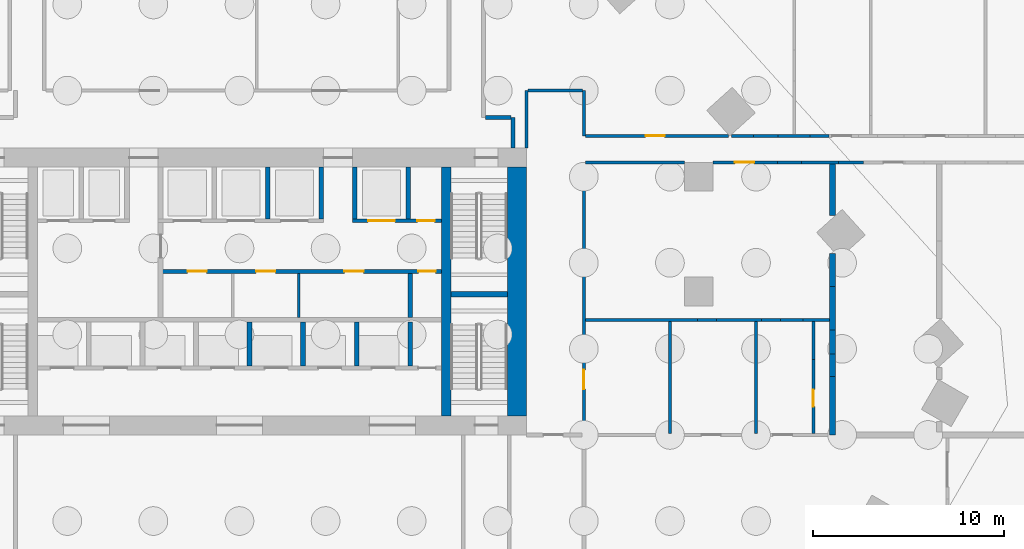
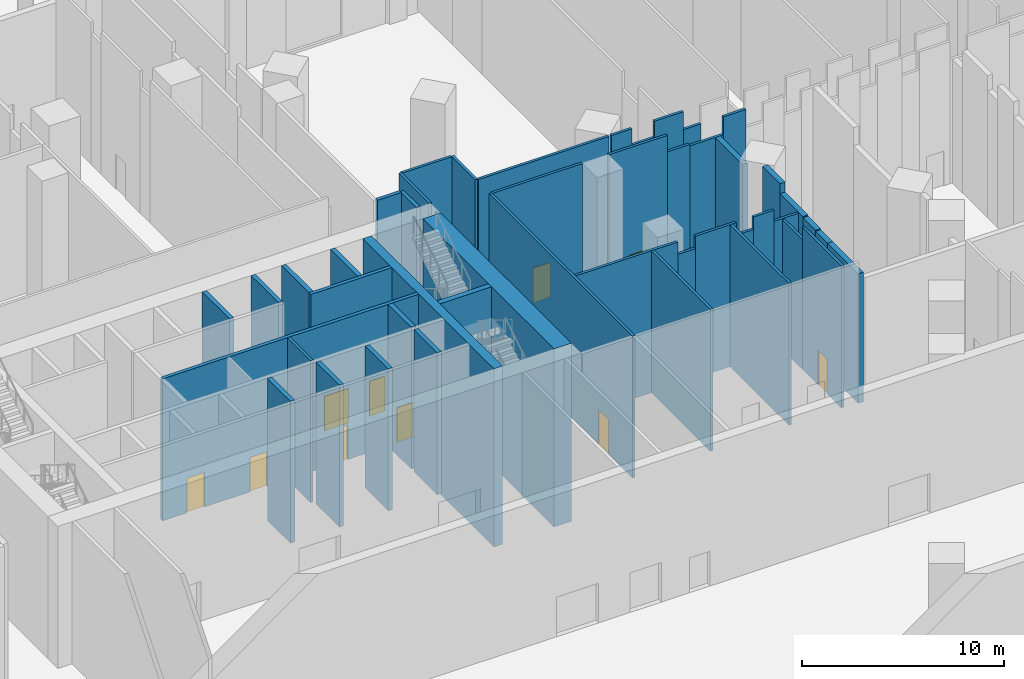
# One storey, part 12 of 32: 47 walls, 10 doors, 10 openings.
"""IFC4 building model written with IfcOpenShell, lengths in metres."""

from ifc_helpers import new_model, si_unit, direction, frame, frame_2d, origin, place, context, subcontext, project, spatial, rectangle, extrude, material, layer, layer_set, type_object, element, fill, save


model = new_model("IFC4")

# Units and contexts
model_context = context("Model", 3, precision=1e-05, world=origin(), true_north=direction((0.0, 1.0)))
body_context = subcontext(model_context, "Body", "Model", "MODEL_VIEW")
ifc_project = project(units=[si_unit("LENGTHUNIT", "METRE"), si_unit("AREAUNIT", "SQUARE_METRE"), si_unit("VOLUMEUNIT", "CUBIC_METRE"), si_unit("PLANEANGLEUNIT", "RADIAN"), si_unit("MASSUNIT", "GRAM", prefix="KILO")], contexts=[model_context])

# Site, building, storey
site_placement = place(None, origin())
site = spatial("IfcSite", under=ifc_project, at=site_placement, CompositionType="ELEMENT")
building_placement = place(site_placement, origin())
building = spatial("IfcBuilding", under=site, at=building_placement, Name="Isthmus Gate Tower", CompositionType="ELEMENT")
storey_placement = place(building_placement, origin())
storey = spatial("IfcBuildingStorey", under=building, at=storey_placement, Name="L00", CompositionType="ELEMENT", Elevation=0.0)

# Walls
ifc_material_1 = material(Name="Double-leaf gypsum board with mineral wool, resilient mounted")
ifc_layer_1 = layer(ifc_material_1, 0.300048828125)
ifc_layer_set_1 = layer_set([ifc_layer_1], Name="Acoustic studio wall 300 double leaf")
wall_type_1 = type_object("IfcWallType", Name="Acoustic studio wall 300 double leaf", PredefinedType="PARTITIONING", material=ifc_layer_set_1)
wall_1_placement = place(storey_placement, frame((31.0, 0.0, 0.0), z_axis=(0.0, 0.0, 1.0), x_axis=(0.0, 1.0, 0.0)))
element("IfcWall", 1, at=wall_1_placement, inside=storey, type_object=wall_type_1, Name="Acoustic studio wall", PredefinedType="PARTITIONING", context=body_context, shape_type="SweptSolid", body=[
    extrude(rectangle(XDim=3.052490234375, YDim=0.300048828125, at=frame_2d((1.5263671875, 0.0))), origin(), (0.0, 0.0, 1.0), 7.8505859375),
])
wall_2_placement = place(storey_placement, frame((31.0, 3.052490234375, 0.0), z_axis=(0.0, 0.0, 1.0), x_axis=(0.0, 1.0, 0.0)))
element("IfcWall", 2, at=wall_2_placement, inside=storey, type_object=wall_type_1, Name="Acoustic studio wall", PredefinedType="PARTITIONING", context=body_context, shape_type="SweptSolid", body=[
    extrude(rectangle(XDim=1.18701171875, YDim=0.300048828125, at=frame_2d((0.593505859375, 0.0))), origin(), (0.0, 0.0, 1.0), 7.8505859375),
])
wall_3_placement = place(storey_placement, frame((31.0, 4.239501953125, 0.0), z_axis=(0.0, 0.0, 1.0), x_axis=(0.0, 1.0, 0.0)))
element("IfcWall", 3, at=wall_3_placement, inside=storey, type_object=wall_type_1, Name="Acoustic studio wall", PredefinedType="PARTITIONING", context=body_context, shape_type="SweptSolid", body=[
    extrude(rectangle(XDim=1.245361328125, YDim=0.300048828125, at=frame_2d((0.62255859375, 0.0))), origin(), (0.0, 0.0, 1.0), 7.920654296875),
])
wall_4_placement = place(storey_placement, frame((31.0, 5.48486328125, 0.0), z_axis=(0.0, 0.0, 1.0), x_axis=(0.0, 1.0, 0.0)))
element("IfcWall", 4, at=wall_4_placement, inside=storey, type_object=wall_type_1, Name="Acoustic studio wall", PredefinedType="PARTITIONING", context=body_context, shape_type="SweptSolid", body=[
    extrude(rectangle(XDim=2.279541015625, YDim=0.300048828125, at=frame_2d((1.1396484375, 0.0))), origin(), (0.0, 0.0, 1.0), 7.99365234375),
])
wall_5_placement = place(storey_placement, frame((31.0, 7.764404296875, 0.0), z_axis=(0.0, 0.0, 1.0), x_axis=(0.0, 1.0, 0.0)))
element("IfcWall", 5, at=wall_5_placement, inside=storey, type_object=wall_type_1, Name="Acoustic studio wall", PredefinedType="PARTITIONING", context=body_context, shape_type="SweptSolid", body=[
    extrude(rectangle(XDim=1.728271484375, YDim=0.300048828125, at=frame_2d((0.8642578125, 0.0))), origin(), (0.0, 0.0, 1.0), 8.60009765625),
])
wall_6_placement = place(storey_placement, frame((31.0, 11.468505859375, 0.0), z_axis=(0.0, 0.0, 1.0), x_axis=(0.0, 1.0, 0.0)))
element("IfcWall", 6, at=wall_6_placement, inside=storey, type_object=wall_type_1, Name="Acoustic studio wall", PredefinedType="PARTITIONING", context=body_context, shape_type="SweptSolid", body=[
    extrude(rectangle(XDim=2.70654296875, YDim=0.300048828125, at=frame_2d((1.353271484375, 0.0))), origin(), (0.0, 0.0, 1.0), 7.510986328125),
])
ifc_material_2 = material(Name="Concrete f'c 30 MPa", Category="concrete")
ifc_layer_2 = layer(ifc_material_2, 0.199951171875)
ifc_layer_set_2 = layer_set([ifc_layer_2], Name="Fire-rated block wall 200")
wall_type_2 = type_object("IfcWallType", Name="Fire-rated block wall 200", PredefinedType="PARTITIONING", material=ifc_layer_set_2)
wall_7_placement = place(storey_placement, frame((12.85009765625, 16.60009765625, 0.0), z_axis=(0.0, 0.0, 1.0), x_axis=(1.0, 0.0, 0.0)))
element("IfcWall", 7, at=wall_7_placement, inside=storey, type_object=wall_type_2, Name="Fire-rated wall", PredefinedType="PARTITIONING", context=body_context, shape_type="SweptSolid", body=[
    extrude(rectangle(XDim=1.349853515625, YDim=0.199951171875, at=frame_2d((0.6748046875, 0.0))), origin(), (0.0, 0.0, 1.0), 8.60009765625),
])
wall_8_placement = place(storey_placement, frame((14.300048828125, 15.0, 0.0), z_axis=(0.0, 0.0, 1.0), x_axis=(0.0, 1.0, 0.0)))
element("IfcWall", 8, at=wall_8_placement, inside=storey, type_object=wall_type_2, Name="Fire-rated wall", PredefinedType="PARTITIONING", context=body_context, shape_type="SweptSolid", body=[
    extrude(rectangle(XDim=1.60009765625, YDim=0.199951171875, at=frame_2d((0.800048828125, 0.0))), origin(), (0.0, 0.0, 1.0), 8.60009765625),
])
ifc_material_3 = material(Name="Gypsum board on cold-formed steel studs", Category="steel")
ifc_layer_3 = layer(ifc_material_3, 0.14990234375)
ifc_layer_set_3 = layer_set([ifc_layer_3])
wall_type_3 = type_object("IfcWallType", Name="Partition 150 gypsum board on steel studs", PredefinedType="PARTITIONING", material=ifc_layer_set_3)
wall_9_placement = place(storey_placement, frame((18.074951171875, 6.0, 0.0), z_axis=(0.0, 0.0, 1.0), x_axis=(1.0, 0.0, 0.0)))
element("IfcWall", 9, at=wall_9_placement, inside=storey, type_object=wall_type_3, Name="Partition", PredefinedType="PARTITIONING", context=body_context, shape_type="SweptSolid", body=[
    extrude(rectangle(XDim=5.862548828125, YDim=0.14990234375, at=frame_2d((2.93115234375, 0.0))), origin(), (0.0, 0.0, 1.0), 8.60009765625),
])
wall_10_placement = place(storey_placement, frame((23.9375, 6.0, 0.0), z_axis=(0.0, 0.0, 1.0), x_axis=(1.0, 0.0, 0.0)))
element("IfcWall", 10, at=wall_10_placement, inside=storey, type_object=wall_type_3, Name="Partition", PredefinedType="PARTITIONING", context=body_context, shape_type="SweptSolid", body=[
    extrude(rectangle(XDim=1.0, YDim=0.14990234375, at=frame_2d((0.5, 0.0))), origin(), (0.0, 0.0, 1.0), 7.8505859375),
])
wall_11_placement = place(storey_placement, frame((24.9375, 6.0, 0.0), z_axis=(0.0, 0.0, 1.0), x_axis=(1.0, 0.0, 0.0)))
element("IfcWall", 11, at=wall_11_placement, inside=storey, type_object=wall_type_3, Name="Partition", PredefinedType="PARTITIONING", context=body_context, shape_type="SweptSolid", body=[
    extrude(rectangle(XDim=2.3486328125, YDim=0.14990234375, at=frame_2d((1.17431640625, 0.0))), origin(), (0.0, 0.0, 1.0), 8.60009765625),
])
wall_12_placement = place(storey_placement, frame((27.2861328125, 6.0, 0.0), z_axis=(0.0, 0.0, 1.0), x_axis=(1.0, 0.0, 0.0)))
element("IfcWall", 12, at=wall_12_placement, inside=storey, type_object=wall_type_3, Name="Partition", PredefinedType="PARTITIONING", context=body_context, shape_type="SweptSolid", body=[
    extrude(rectangle(XDim=1.0, YDim=0.14990234375, at=frame_2d((0.5, 0.0))), origin(), (0.0, 0.0, 1.0), 7.8505859375),
])
wall_13_placement = place(storey_placement, frame((28.2861328125, 6.0, 0.0), z_axis=(0.0, 0.0, 1.0), x_axis=(1.0, 0.0, 0.0)))
element("IfcWall", 13, at=wall_13_placement, inside=storey, type_object=wall_type_3, Name="Partition", PredefinedType="PARTITIONING", context=body_context, shape_type="SweptSolid", body=[
    extrude(rectangle(XDim=1.1591796875, YDim=0.14990234375, at=frame_2d((0.57958984375, 0.0))), origin(), (0.0, 0.0, 1.0), 8.60009765625),
])
wall_14_placement = place(storey_placement, frame((29.4453125, 6.0, 0.0), z_axis=(0.0, 0.0, 1.0), x_axis=(1.0, 0.0, 0.0)))
element("IfcWall", 14, at=wall_14_placement, inside=storey, type_object=wall_type_3, Name="Partition", PredefinedType="PARTITIONING", context=body_context, shape_type="SweptSolid", body=[
    extrude(rectangle(XDim=1.40478515625, YDim=0.14990234375, at=frame_2d((0.702392578125, 0.0))), origin(), (0.0, 0.0, 1.0), 7.920654296875),
])
wall_15_placement = place(storey_placement, frame((18.074951171875, 14.25, 0.0), z_axis=(0.0, 0.0, 1.0), x_axis=(1.0, 0.0, 0.0)))
element("IfcWall", 15, at=wall_15_placement, inside=storey, type_object=wall_type_3, Name="Partition", PredefinedType="PARTITIONING", context=body_context, shape_type="SweptSolid", body=[
    extrude(rectangle(XDim=5.175048828125, YDim=0.14990234375, at=frame_2d((2.58740234375, 0.0))), origin(), (0.0, 0.0, 1.0), 8.60009765625),
])

# Wall, opening, door
wall_16_placement = place(storey_placement, frame((24.75, 14.25, 0.0), z_axis=(0.0, 0.0, 1.0), x_axis=(1.0, 0.0, 0.0)))
wall_16 = element("IfcWall", 16, at=wall_16_placement, inside=storey, type_object=wall_type_3, Name="Partition", PredefinedType="PARTITIONING", context=body_context, shape_type="SweptSolid", body=[
    extrude(rectangle(XDim=3.361083984375, YDim=0.14990234375, at=frame_2d((1.6806640625, 0.0))), origin(), (0.0, 0.0, 1.0), 8.60009765625),
])
opening_1_placement = place(wall_16_placement, frame((1.14990234375, 0.0, 0.0)))
opening_1 = element("IfcOpeningElement", 17, at=opening_1_placement, cuts=wall_16, Name="Opening DP00-25", PredefinedType="OPENING", context=body_context, shape_type="SweptSolid", body=[
    extrude(rectangle(XDim=1.0, YDim=2.10009765625, at=frame_2d((0.5, 1.050048828125))), frame((0.0, 0.0849609375, 0.0), z_axis=(0.0, -1.0, 0.0), x_axis=(1.0, 0.0, 0.0)), (0.0, 0.0, 1.0), 0.169921875),
])
ifc_material_4 = material(Name="Hollow metal frame with solid-core timber leaf", Category="wood")
door_type_1 = type_object("IfcDoorType", Name="Single swing door 1000 x 2100", OperationType="SINGLE_SWING_LEFT", PredefinedType="DOOR", material=ifc_material_4)
door_1_placement = place(opening_1_placement, origin())
door_1 = element("IfcDoor", 18, at=door_1_placement, inside=storey, type_object=door_type_1, Name="Door DP00-25", OperationType="SINGLE_SWING_LEFT", OverallHeight=2.10009765625, OverallWidth=1.0, PredefinedType="DOOR", context=body_context, shape_type="SweptSolid", body=[
    extrude(rectangle(XDim=1.0, YDim=2.10009765625, at=frame_2d((0.5, 1.050048828125))), frame((0.0, 0.02490234375, 0.0), z_axis=(0.0, -1.0, 0.0), x_axis=(1.0, 0.0, 0.0)), (0.0, 0.0, 1.0), 0.050048828125),
])
fill(opening_1, door_1)

# Walls
wall_17_placement = place(storey_placement, frame((28.111083984375, 14.25, 0.0), z_axis=(0.0, 0.0, 1.0), x_axis=(1.0, 0.0, 0.0)))
element("IfcWall", 19, at=wall_17_placement, inside=storey, type_object=wall_type_3, Name="Partition", PredefinedType="PARTITIONING", context=body_context, shape_type="SweptSolid", body=[
    extrude(rectangle(XDim=1.2783203125, YDim=0.14990234375, at=frame_2d((0.63916015625, 0.0))), origin(), (0.0, 0.0, 1.0), 7.60009765625),
])
wall_18_placement = place(storey_placement, frame((29.389404296875, 14.25, 0.0), z_axis=(0.0, 0.0, 1.0), x_axis=(1.0, 0.0, 0.0)))
element("IfcWall", 20, at=wall_18_placement, inside=storey, type_object=wall_type_3, Name="Partition", PredefinedType="PARTITIONING", context=body_context, shape_type="SweptSolid", body=[
    extrude(rectangle(XDim=1.92919921875, YDim=0.14990234375, at=frame_2d((0.964599609375, 0.0))), origin(), (0.0, 0.0, 1.0), 7.510986328125),
])
wall_19_placement = place(storey_placement, frame((31.318603515625, 14.25, 0.0), z_axis=(0.0, 0.0, 1.0), x_axis=(1.0, 0.0, 0.0)))
element("IfcWall", 21, at=wall_19_placement, inside=storey, type_object=wall_type_3, Name="Partition", PredefinedType="PARTITIONING", context=body_context, shape_type="SweptSolid", body=[
    extrude(rectangle(XDim=1.29541015625, YDim=0.14990234375, at=frame_2d((0.647705078125, 0.0))), origin(), (0.0, 0.0, 1.0), 8.60009765625),
])

# Wall, opening, door
wall_20_placement = place(storey_placement, frame((18.074951171875, 15.62890625, 0.0), z_axis=(0.0, 0.0, 1.0), x_axis=(1.0, 0.0, 0.0)))
wall_20 = element("IfcWall", 22, at=wall_20_placement, inside=storey, type_object=wall_type_3, Name="Partition", PredefinedType="PARTITIONING", context=body_context, shape_type="SweptSolid", body=[
    extrude(rectangle(XDim=7.482177734375, YDim=0.14990234375, at=frame_2d((3.7412109375, 0.0))), origin(), (0.0, 0.0, 1.0), 8.60009765625),
])
opening_2_placement = place(wall_20_placement, frame((3.14990234375, 0.0, 0.0)))
opening_2 = element("IfcOpeningElement", 23, at=opening_2_placement, cuts=wall_20, Name="Opening DP00-34", PredefinedType="OPENING", context=body_context, shape_type="SweptSolid", body=[
    extrude(rectangle(XDim=1.0, YDim=2.10009765625, at=frame_2d((0.5, 1.050048828125))), frame((0.0, 0.0849609375, 0.0), z_axis=(0.0, -1.0, 0.0), x_axis=(1.0, 0.0, 0.0)), (0.0, 0.0, 1.0), 0.169921875),
])
door_2_placement = place(opening_2_placement, origin())
door_2 = element("IfcDoor", 24, at=door_2_placement, inside=storey, type_object=door_type_1, Name="Door DP00-34", OperationType="SINGLE_SWING_LEFT", OverallHeight=2.10009765625, OverallWidth=1.0, PredefinedType="DOOR", context=body_context, shape_type="SweptSolid", body=[
    extrude(rectangle(XDim=1.0, YDim=2.10009765625, at=frame_2d((0.5, 1.050048828125))), frame((0.0, 0.02490234375, 0.0), z_axis=(0.0, -1.0, 0.0), x_axis=(1.0, 0.0, 0.0)), (0.0, 0.0, 1.0), 0.050048828125),
])
fill(opening_2, door_2)

# Walls
wall_21_placement = place(storey_placement, frame((25.70751953125, 15.62890625, 0.0), z_axis=(0.0, 0.0, 1.0), x_axis=(1.0, 0.0, 0.0)))
element("IfcWall", 25, at=wall_21_placement, inside=storey, type_object=wall_type_3, Name="Partition", PredefinedType="PARTITIONING", context=body_context, shape_type="SweptSolid", body=[
    extrude(rectangle(XDim=1.161865234375, YDim=0.14990234375, at=frame_2d((0.5810546875, 0.0))), origin(), (0.0, 0.0, 1.0), 8.60009765625),
])
wall_22_placement = place(storey_placement, frame((26.869384765625, 15.62890625, 0.0), z_axis=(0.0, 0.0, 1.0), x_axis=(1.0, 0.0, 0.0)))
element("IfcWall", 26, at=wall_22_placement, inside=storey, type_object=wall_type_3, Name="Partition", PredefinedType="PARTITIONING", context=body_context, shape_type="SweptSolid", body=[
    extrude(rectangle(XDim=1.2783203125, YDim=0.14990234375, at=frame_2d((0.63916015625, 0.0))), origin(), (0.0, 0.0, 1.0), 7.60009765625),
])
wall_23_placement = place(storey_placement, frame((28.147705078125, 15.62890625, 0.0), z_axis=(0.0, 0.0, 1.0), x_axis=(1.0, 0.0, 0.0)))
element("IfcWall", 27, at=wall_23_placement, inside=storey, type_object=wall_type_3, Name="Partition", PredefinedType="PARTITIONING", context=body_context, shape_type="SweptSolid", body=[
    extrude(rectangle(XDim=1.675537109375, YDim=0.14990234375, at=frame_2d((0.837890625, 0.0))), origin(), (0.0, 0.0, 1.0), 8.60009765625),
])
wall_24_placement = place(storey_placement, frame((29.8232421875, 15.62890625, 0.0), z_axis=(0.0, 0.0, 1.0), x_axis=(1.0, 0.0, 0.0)))
element("IfcWall", 28, at=wall_24_placement, inside=storey, type_object=wall_type_3, Name="Partition", PredefinedType="PARTITIONING", context=body_context, shape_type="SweptSolid", body=[
    extrude(rectangle(XDim=1.0, YDim=0.14990234375, at=frame_2d((0.5, 0.0))), origin(), (0.0, 0.0, 1.0), 7.510986328125),
])
wall_25_placement = place(storey_placement, frame((15.074951171875, 18.0, 0.0), z_axis=(0.0, 0.0, 1.0), x_axis=(1.0, 0.0, 0.0)))
element("IfcWall", 29, at=wall_25_placement, inside=storey, type_object=wall_type_3, Name="Partition", PredefinedType="PARTITIONING", context=body_context, shape_type="SweptSolid", body=[
    extrude(rectangle(XDim=2.85009765625, YDim=0.14990234375, at=frame_2d((1.425048828125, 0.0))), origin(), (0.0, 0.0, 1.0), 8.60009765625),
])
wall_26_placement = place(storey_placement, frame((15.0, 15.0, 0.0), z_axis=(0.0, 0.0, 1.0), x_axis=(0.0, 1.0, 0.0)))
element("IfcWall", 30, at=wall_26_placement, inside=storey, type_object=wall_type_3, Name="Partition", PredefinedType="PARTITIONING", context=body_context, shape_type="SweptSolid", body=[
    extrude(rectangle(XDim=3.0, YDim=0.14990234375, at=frame_2d((1.5, 0.0))), origin(), (0.0, 0.0, 1.0), 8.60009765625),
])

# Wall, opening, door
wall_27_placement = place(storey_placement, frame((18.0, 0.0, 0.0), z_axis=(0.0, 0.0, 1.0), x_axis=(0.0, 1.0, 0.0)))
wall_27 = element("IfcWall", 31, at=wall_27_placement, inside=storey, type_object=wall_type_3, Name="Partition", PredefinedType="PARTITIONING", context=body_context, shape_type="SweptSolid", body=[
    extrude(rectangle(XDim=14.25, YDim=0.14990234375, at=frame_2d((7.125, 0.0))), origin(), (0.0, 0.0, 1.0), 8.60009765625),
])
opening_3_placement = place(wall_27_placement, frame((2.39990234375, 0.0, 0.0)))
opening_3 = element("IfcOpeningElement", 32, at=opening_3_placement, cuts=wall_27, Name="Opening DP00-22", PredefinedType="OPENING", context=body_context, shape_type="SweptSolid", body=[
    extrude(rectangle(XDim=1.0, YDim=2.10009765625, at=frame_2d((0.5, 1.050048828125))), frame((0.0, 0.0849609375, 0.0), z_axis=(0.0, -1.0, 0.0), x_axis=(1.0, 0.0, 0.0)), (0.0, 0.0, 1.0), 0.169921875),
])
door_3_placement = place(opening_3_placement, origin())
door_3 = element("IfcDoor", 33, at=door_3_placement, inside=storey, type_object=door_type_1, Name="Door DP00-22", OperationType="SINGLE_SWING_LEFT", OverallHeight=2.10009765625, OverallWidth=1.0, PredefinedType="DOOR", context=body_context, shape_type="SweptSolid", body=[
    extrude(rectangle(XDim=1.0, YDim=2.10009765625, at=frame_2d((0.5, 1.050048828125))), frame((0.0, 0.02490234375, 0.0), z_axis=(0.0, -1.0, 0.0), x_axis=(1.0, 0.0, 0.0)), (0.0, 0.0, 1.0), 0.050048828125),
])
fill(opening_3, door_3)

# Walls
wall_28_placement = place(storey_placement, frame((18.0, 15.62939453125, 0.0), z_axis=(0.0, 0.0, 1.0), x_axis=(0.0, 1.0, 0.0)))
element("IfcWall", 34, at=wall_28_placement, inside=storey, type_object=wall_type_3, Name="Partition", PredefinedType="PARTITIONING", context=body_context, shape_type="SweptSolid", body=[
    extrude(rectangle(XDim=2.37060546875, YDim=0.14990234375, at=frame_2d((1.185302734375, 0.0))), origin(), (0.0, 0.0, 1.0), 8.60009765625),
])
for number, where, z_axis, x_axis, name in (
    (35, (22.5, 0.074951171875, 0.0), (0.0, 0.0, 1.0), (0.0, 1.0, 0.0), "Partition"),
    (36, (27.0, 0.074951171875, 0.0), (0.0, 0.0, 1.0), (0.0, 1.0, 0.0), "Partition"),
):
    element("IfcWall", number, at=place(storey_placement, frame(where, z_axis=z_axis, x_axis=x_axis)), inside=storey, type_object=wall_type_3, Name=name, PredefinedType="PARTITIONING", context=body_context, shape_type="SweptSolid", body=[
        extrude(rectangle(XDim=5.85009765625, YDim=0.14990234375, at=frame_2d((2.925048828125, 0.0))), origin(), (0.0, 0.0, 1.0), 8.60009765625),
    ])

# Wall, opening, door
wall_29_placement = place(storey_placement, frame((30.0, 0.074951171875, 0.0), z_axis=(0.0, 0.0, 1.0), x_axis=(0.0, 1.0, 0.0)))
wall_29 = element("IfcWall", 37, at=wall_29_placement, inside=storey, type_object=wall_type_3, Name="Partition", PredefinedType="PARTITIONING", context=body_context, shape_type="SweptSolid", body=[
    extrude(rectangle(XDim=3.867919921875, YDim=0.14990234375, at=frame_2d((1.93408203125, 0.0))), origin(), (0.0, 0.0, 1.0), 8.60009765625),
])
opening_4_placement = place(wall_29_placement, frame((1.39990234375, 0.0, 0.0)))
opening_4 = element("IfcOpeningElement", 38, at=opening_4_placement, cuts=wall_29, Name="Opening DP00-41", PredefinedType="OPENING", context=body_context, shape_type="SweptSolid", body=[
    extrude(rectangle(XDim=0.89990234375, YDim=2.10009765625, at=frame_2d((0.449951171875, 1.050048828125))), frame((0.0, 0.0849609375, 0.0), z_axis=(0.0, -1.0, 0.0), x_axis=(1.0, 0.0, 0.0)), (0.0, 0.0, 1.0), 0.169921875),
])
ifc_material_5 = material(Name="Hollow metal frame with solid-core timber leaf", Category="wood")
door_type_2 = type_object("IfcDoorType", Name="Single swing door 900 x 2100", OperationType="SINGLE_SWING_LEFT", PredefinedType="DOOR", material=ifc_material_5)
door_4_placement = place(opening_4_placement, origin())
door_4 = element("IfcDoor", 39, at=door_4_placement, inside=storey, type_object=door_type_2, Name="Door DP00-41", OperationType="SINGLE_SWING_LEFT", OverallHeight=2.10009765625, OverallWidth=0.89990234375, PredefinedType="DOOR", context=body_context, shape_type="SweptSolid", body=[
    extrude(rectangle(XDim=0.89990234375, YDim=2.10009765625, at=frame_2d((0.449951171875, 1.050048828125))), frame((0.0, 0.02490234375, 0.0), z_axis=(0.0, -1.0, 0.0), x_axis=(1.0, 0.0, 0.0)), (0.0, 0.0, 1.0), 0.050048828125),
])
fill(opening_4, door_4)

# Walls
wall_30_placement = place(storey_placement, frame((30.0, 3.94287109375, 0.0), z_axis=(0.0, 0.0, 1.0), x_axis=(0.0, 1.0, 0.0)))
element("IfcWall", 40, at=wall_30_placement, inside=storey, type_object=wall_type_3, Name="Partition", PredefinedType="PARTITIONING", context=body_context, shape_type="SweptSolid", body=[
    extrude(rectangle(XDim=1.982177734375, YDim=0.14990234375, at=frame_2d((0.9912109375, 0.0))), origin(), (0.0, 0.0, 1.0), 7.8505859375),
])
ifc_material_6 = material(Name="Concrete f'c 70 MPa", Category="concrete")
ifc_layer_4 = layer(ifc_material_6, 0.5)
ifc_layer_set_4 = layer_set([ifc_layer_4], Name="RC CORE SPINE WALL 500 F'C 70")
wall_type_4 = type_object("IfcWallType", Name="RC CORE SPINE WALL 500 F'C 70", PredefinedType="SOLIDWALL", material=ifc_layer_set_4)
wall_31_placement = place(storey_placement, frame((10.800048828125, 1.0, -2.199951171875), z_axis=(0.0, 0.0, 1.0), x_axis=(0.0, 1.0, 0.0)))
element("IfcWall", 41, at=wall_31_placement, inside=storey, type_object=wall_type_4, Name="str-corewall-L00-SPE", PredefinedType="SOLIDWALL", context=body_context, shape_type="SweptSolid", body=[
    extrude(rectangle(XDim=13.0, YDim=0.5, at=frame_2d((6.5, 0.0))), origin(), (0.0, 0.0, 1.0), 10.800048828125),
])
ifc_material_7 = material(Name="Concrete f'c 70 MPa", Category="concrete")
ifc_layer_5 = layer(ifc_material_7, 1.0)
ifc_layer_set_5 = layer_set([ifc_layer_5], Name="RC CORE WALL 1000 F'C 70")
wall_type_5 = type_object("IfcWallType", Name="RC CORE WALL 1000 F'C 70", PredefinedType="SOLIDWALL", material=ifc_layer_set_5)
wall_32_placement = place(storey_placement, frame((14.5, 1.0, -2.199951171875), z_axis=(0.0, 0.0, 1.0), x_axis=(0.0, 1.0, 0.0)))
element("IfcWall", 42, at=wall_32_placement, inside=storey, type_object=wall_type_5, Name="str-corewall-L00-E", PredefinedType="SOLIDWALL", context=body_context, shape_type="SweptSolid", body=[
    extrude(rectangle(XDim=13.0, YDim=1.0, at=frame_2d((6.5, 0.0))), origin(), (0.0, 0.0, 1.0), 10.800048828125),
])
ifc_material_8 = material(Name="Gypsum board on steel studs, fire-rated", Category="steel")
ifc_layer_6 = layer(ifc_material_8, 0.14990234375)
ifc_layer_set_6 = layer_set([ifc_layer_6], Name="ROOM PARTITION 150 60 MIN")
wall_type_6 = type_object("IfcWallType", Name="ROOM PARTITION 150 60 MIN", PredefinedType="PARTITIONING", material=ifc_layer_set_6)
wall_33_placement = place(storey_placement, frame((3.10009765625, 6.14990234375, 0.0), z_axis=(0.0, 0.0, 1.0), x_axis=(0.0, 1.0, 0.0)))
element("IfcWall", 43, at=wall_33_placement, inside=storey, type_object=wall_type_6, Name="L00 ROOM PARTITION 150 60 MIN", PredefinedType="PARTITIONING", context=body_context, shape_type="SweptSolid", body=[
    extrude(rectangle(XDim=2.300048828125, YDim=0.14990234375, at=frame_2d((1.14990234375, 0.0))), origin(), (0.0, 0.0, 1.0), 8.60009765625),
])

# Wall, openings, doors
ifc_material_9 = material(Name="Fire-rated blockwork masonry, 15 MPa", Category="masonry")
ifc_layer_7 = layer(ifc_material_9, 0.199951171875)
ifc_layer_set_7 = layer_set([ifc_layer_7], Name="SHAFT FRONT WALL 200 120 MIN")
wall_type_7 = type_object("IfcWallType", Name="SHAFT FRONT WALL 200 120 MIN", PredefinedType="PARTITIONING", material=ifc_layer_set_7)
wall_34_placement = place(storey_placement, frame((-4.125, 8.550048828125, 0.0), z_axis=(0.0, 0.0, 1.0), x_axis=(1.0, 0.0, 0.0)))
wall_34 = element("IfcWall", 44, at=wall_34_placement, inside=storey, type_object=wall_type_7, Name="L00 SHAFT FRONT WALL 200 120 MIN", PredefinedType="PARTITIONING", context=body_context, shape_type="SweptSolid", body=[
    extrude(rectangle(XDim=14.675048828125, YDim=0.199951171875, at=frame_2d((7.33740234375, 0.0))), origin(), (0.0, 0.0, 1.0), 8.60009765625),
])
opening_5_placement = place(wall_34_placement, frame((1.41259765625, 0.0, 0.0)))
opening_5 = element("IfcOpeningElement", 45, at=opening_5_placement, cuts=wall_34, Name="Opening DC-A01-03", PredefinedType="OPENING", context=body_context, shape_type="SweptSolid", body=[
    extrude(rectangle(XDim=1.0, YDim=2.10009765625, at=frame_2d((0.5, 1.050048828125))), frame((0.0, 0.10986328125, 0.0), z_axis=(0.0, -1.0, 0.0), x_axis=(1.0, 0.0, 0.0)), (0.0, 0.0, 1.0), 0.219970703125),
])
opening_6_placement = place(wall_34_placement, frame((5.0, 0.0, 0.0)))
opening_6 = element("IfcOpeningElement", 46, at=opening_6_placement, cuts=wall_34, Name="Opening DC-A01-04", PredefinedType="OPENING", context=body_context, shape_type="SweptSolid", body=[
    extrude(rectangle(XDim=1.0, YDim=2.10009765625, at=frame_2d((0.5, 1.050048828125))), frame((0.0, 0.10986328125, 0.0), z_axis=(0.0, -1.0, 0.0), x_axis=(1.0, 0.0, 0.0)), (0.0, 0.0, 1.0), 0.219970703125),
])
opening_7_placement = place(wall_34_placement, frame((9.612548828125, 0.0, 0.0)))
opening_7 = element("IfcOpeningElement", 47, at=opening_7_placement, cuts=wall_34, Name="Opening DC-A01-05", PredefinedType="OPENING", context=body_context, shape_type="SweptSolid", body=[
    extrude(rectangle(XDim=1.0, YDim=2.10009765625, at=frame_2d((0.5, 1.050048828125))), frame((0.0, 0.10986328125, 0.0), z_axis=(0.0, -1.0, 0.0), x_axis=(1.0, 0.0, 0.0)), (0.0, 0.0, 1.0), 0.219970703125),
])
opening_8_placement = place(wall_34_placement, frame((13.47509765625, 0.0, 0.0)))
opening_8 = element("IfcOpeningElement", 48, at=opening_8_placement, cuts=wall_34, Name="Opening DC-A01-06", PredefinedType="OPENING", context=body_context, shape_type="SweptSolid", body=[
    extrude(rectangle(XDim=0.89990234375, YDim=2.10009765625, at=frame_2d((0.449951171875, 1.050048828125))), frame((0.0, 0.10986328125, 0.0), z_axis=(0.0, -1.0, 0.0), x_axis=(1.0, 0.0, 0.0)), (0.0, 0.0, 1.0), 0.219970703125),
])
ifc_material_10 = material(Name="Steel door leaf, fire-rated", Category="steel")
door_type_3 = type_object("IfcDoorType", Name="FIRE DOOR 1000 X 2100 60 MIN", OperationType="SINGLE_SWING_LEFT", PredefinedType="DOOR", material=ifc_material_10)
door_5_placement = place(opening_5_placement, origin())
door_5 = element("IfcDoor", 49, at=door_5_placement, inside=storey, type_object=door_type_3, Name="WC Women Door", OperationType="SINGLE_SWING_LEFT", OverallHeight=2.10009765625, OverallWidth=1.0, PredefinedType="DOOR", context=body_context, shape_type="SweptSolid", body=[
    extrude(rectangle(XDim=1.0, YDim=2.10009765625, at=frame_2d((0.5, 1.050048828125))), frame((0.0, 0.02490234375, 0.0), z_axis=(0.0, -1.0, 0.0), x_axis=(1.0, 0.0, 0.0)), (0.0, 0.0, 1.0), 0.050048828125),
])
fill(opening_5, door_5)
door_6_placement = place(opening_6_placement, origin())
door_6 = element("IfcDoor", 50, at=door_6_placement, inside=storey, type_object=door_type_3, Name="WC Men Door", OperationType="SINGLE_SWING_RIGHT", OverallHeight=2.10009765625, OverallWidth=1.0, PredefinedType="DOOR", context=body_context, shape_type="SweptSolid", body=[
    extrude(rectangle(XDim=1.0, YDim=2.10009765625, at=frame_2d((0.5, 1.050048828125))), frame((0.0, 0.02490234375, 0.0), z_axis=(0.0, -1.0, 0.0), x_axis=(1.0, 0.0, 0.0)), (0.0, 0.0, 1.0), 0.050048828125),
])
fill(opening_6, door_6)
door_7_placement = place(opening_7_placement, origin())
door_7 = element("IfcDoor", 51, at=door_7_placement, inside=storey, type_object=door_type_3, Name="Accessible WC Door", OperationType="SINGLE_SWING_LEFT", OverallHeight=2.10009765625, OverallWidth=1.0, PredefinedType="DOOR", context=body_context, shape_type="SweptSolid", body=[
    extrude(rectangle(XDim=1.0, YDim=2.10009765625, at=frame_2d((0.5, 1.050048828125))), frame((0.0, 0.02490234375, 0.0), z_axis=(0.0, -1.0, 0.0), x_axis=(1.0, 0.0, 0.0)), (0.0, 0.0, 1.0), 0.050048828125),
])
fill(opening_7, door_7)
ifc_material_11 = material(Name="Steel door leaf, fire-rated", Category="steel")
door_type_4 = type_object("IfcDoorType", Name="RISER FIRE DOOR 900 X 2100 90 MIN", OperationType="SINGLE_SWING_LEFT", PredefinedType="DOOR", material=ifc_material_11)
door_8_placement = place(opening_8_placement, origin())
door_8 = element("IfcDoor", 52, at=door_8_placement, inside=storey, type_object=door_type_4, Name="Riser Door", OperationType="SINGLE_SWING_RIGHT", OverallHeight=2.10009765625, OverallWidth=0.89990234375, PredefinedType="DOOR", context=body_context, shape_type="SweptSolid", body=[
    extrude(rectangle(XDim=0.89990234375, YDim=2.10009765625, at=frame_2d((0.449951171875, 1.050048828125))), frame((0.0, 0.02490234375, 0.0), z_axis=(0.0, -1.0, 0.0), x_axis=(1.0, 0.0, 0.0)), (0.0, 0.0, 1.0), 0.050048828125),
])
fill(opening_8, door_8)

wall_35_placement = place(storey_placement, frame((5.89990234375, 11.199951171875, 0.0), z_axis=(0.0, 0.0, 1.0), x_axis=(1.0, 0.0, 0.0)))
wall_35 = element("IfcWall", 53, at=wall_35_placement, inside=storey, type_object=wall_type_7, Name="L00 SHAFT FRONT WALL 200 120 MIN", PredefinedType="PARTITIONING", context=body_context, shape_type="SweptSolid", body=[
    extrude(rectangle(XDim=4.650146484375, YDim=0.199951171875, at=frame_2d((2.3251953125, 0.0))), origin(), (0.0, 0.0, 1.0), 8.60009765625),
])
opening_9_placement = place(wall_35_placement, frame((0.824951171875, 0.0, 0.0)))
opening_9 = element("IfcOpeningElement", 54, at=opening_9_placement, cuts=wall_35, Name="Opening LD-LS2", PredefinedType="OPENING", context=body_context, shape_type="SweptSolid", body=[
    extrude(rectangle(XDim=1.39990234375, YDim=2.10009765625, at=frame_2d((0.699951171875, 1.050048828125))), frame((0.0, 0.10986328125, 0.0), z_axis=(0.0, -1.0, 0.0), x_axis=(1.0, 0.0, 0.0)), (0.0, 0.0, 1.0), 0.219970703125),
])
opening_10_placement = place(wall_35_placement, frame((3.39990234375, 0.0, 0.0)))
opening_10 = element("IfcOpeningElement", 55, at=opening_10_placement, cuts=wall_35, Name="Opening DC-A01-07", PredefinedType="OPENING", context=body_context, shape_type="SweptSolid", body=[
    extrude(rectangle(XDim=0.89990234375, YDim=2.10009765625, at=frame_2d((0.449951171875, 1.050048828125))), frame((0.0, 0.10986328125, 0.0), z_axis=(0.0, -1.0, 0.0), x_axis=(1.0, 0.0, 0.0)), (0.0, 0.0, 1.0), 0.219970703125),
])
ifc_material_12 = material(Name="Stainless steel sliding leaf", Category="steel")
door_type_5 = type_object("IfcDoorType", Name="LIFT LANDING FIRE DOOR 1400 X 2100 90 MIN", OperationType="DOUBLE_DOOR_SLIDING", PredefinedType="DOOR", material=ifc_material_12)
door_9_placement = place(opening_9_placement, origin())
door_9 = element("IfcDoor", 56, at=door_9_placement, inside=storey, type_object=door_type_5, Name="Lift Landing Door LS2", OperationType="DOUBLE_DOOR_SLIDING", OverallHeight=2.10009765625, OverallWidth=1.39990234375, PredefinedType="DOOR", context=body_context, shape_type="SweptSolid", body=[
    extrude(rectangle(XDim=1.39990234375, YDim=2.10009765625, at=frame_2d((0.699951171875, 1.050048828125))), frame((0.0, 0.02490234375, 0.0), z_axis=(0.0, -1.0, 0.0), x_axis=(1.0, 0.0, 0.0)), (0.0, 0.0, 1.0), 0.050048828125),
])
fill(opening_9, door_9)
door_10_placement = place(opening_10_placement, origin())
door_10 = element("IfcDoor", 57, at=door_10_placement, inside=storey, type_object=door_type_4, Name="Riser Door", OperationType="SINGLE_SWING_LEFT", OverallHeight=2.10009765625, OverallWidth=0.89990234375, PredefinedType="DOOR", context=body_context, shape_type="SweptSolid", body=[
    extrude(rectangle(XDim=0.89990234375, YDim=2.10009765625, at=frame_2d((0.449951171875, 1.050048828125))), frame((0.0, 0.02490234375, 0.0), z_axis=(0.0, -1.0, 0.0), x_axis=(1.0, 0.0, 0.0)), (0.0, 0.0, 1.0), 0.050048828125),
])
fill(opening_10, door_10)

# Walls
ifc_material_13 = material(Name="Fire-rated blockwork masonry, 15 MPa", Category="masonry")
ifc_layer_8 = layer(ifc_material_13, 0.25)
ifc_layer_set_8 = layer_set([ifc_layer_8], Name="SHAFT WALL 250 120 MIN")
wall_type_8 = type_object("IfcWallType", Name="SHAFT WALL 250 120 MIN", PredefinedType="PARTITIONING", material=ifc_layer_set_8)
for number, where, z_axis, x_axis, name in (
    (58, (0.52490234375, 3.60009765625, 0.0), (0.0, 0.0, 1.0), (0.0, 1.0, 0.0), "L00 SHAFT WALL 250 120 MIN"),
    (59, (3.324951171875, 3.60009765625, 0.0), (0.0, 0.0, 1.0), (0.0, 1.0, 0.0), "L00 SHAFT WALL 250 120 MIN"),
    (60, (6.125, 3.60009765625, 0.0), (0.0, 0.0, 1.0), (0.0, 1.0, 0.0), "L00 SHAFT WALL 250 120 MIN"),
    (61, (8.925048828125, 3.60009765625, 0.0), (0.0, 0.0, 1.0), (0.0, 1.0, 0.0), "L00 SHAFT WALL 250 120 MIN"),
):
    element("IfcWall", number, at=place(storey_placement, frame(where, z_axis=z_axis, x_axis=x_axis)), inside=storey, type_object=wall_type_8, Name=name, PredefinedType="PARTITIONING", context=body_context, shape_type="SweptSolid", body=[
        extrude(rectangle(XDim=2.2998046875, YDim=0.25, at=frame_2d((1.14990234375, 0.0))), origin(), (0.0, 0.0, 1.0), 8.60009765625),
    ])
wall_36_placement = place(storey_placement, frame((8.925048828125, 6.14990234375, 0.0), z_axis=(0.0, 0.0, 1.0), x_axis=(0.0, 1.0, 0.0)))
element("IfcWall", 62, at=wall_36_placement, inside=storey, type_object=wall_type_8, Name="L00 SHAFT WALL 250 120 MIN", PredefinedType="PARTITIONING", context=body_context, shape_type="SweptSolid", body=[
    extrude(rectangle(XDim=2.300048828125, YDim=0.25, at=frame_2d((1.14990234375, 0.0))), origin(), (0.0, 0.0, 1.0), 8.60009765625),
])
for number, where, z_axis, x_axis, name in (
    (63, (1.47509765625, 11.300048828125, 0.0), (0.0, 0.0, 1.0), (0.0, 1.0, 0.0), "L00 SHAFT WALL 250 120 MIN"),
    (64, (4.27490234375, 11.300048828125, 0.0), (0.0, 0.0, 1.0), (0.0, 1.0, 0.0), "L00 SHAFT WALL 250 120 MIN"),
    (65, (6.02490234375, 11.300048828125, 0.0), (0.0, 0.0, 1.0), (0.0, 1.0, 0.0), "L00 SHAFT WALL 250 120 MIN"),
    (66, (8.824951171875, 11.300048828125, 0.0), (0.0, 0.0, 1.0), (0.0, 1.0, 0.0), "L00 SHAFT WALL 250 120 MIN"),
):
    element("IfcWall", number, at=place(storey_placement, frame(where, z_axis=z_axis, x_axis=x_axis)), inside=storey, type_object=wall_type_8, Name=name, PredefinedType="PARTITIONING", context=body_context, shape_type="SweptSolid", body=[
        extrude(rectangle(XDim=2.699951171875, YDim=0.25, at=frame_2d((1.35009765625, 0.0))), origin(), (0.0, 0.0, 1.0), 8.60009765625),
    ])
ifc_material_14 = material(Name="Concrete f'c 40 MPa", Category="concrete")
ifc_layer_9 = layer(ifc_material_14, 0.300048828125)
ifc_layer_set_9 = layer_set([ifc_layer_9], Name="STAIR ENCLOSURE WALL 300 180 MIN")
wall_type_9 = type_object("IfcWallType", Name="STAIR ENCLOSURE WALL 300 180 MIN", PredefinedType="SOLIDWALL", material=ifc_layer_set_9)
wall_37_placement = place(storey_placement, frame((11.050048828125, 7.35009765625, 0.0), z_axis=(0.0, 0.0, 1.0), x_axis=(1.0, 0.0, 0.0)))
element("IfcWall", 67, at=wall_37_placement, inside=storey, type_object=wall_type_9, Name="L00 STAIR ENCLOSURE WALL 300 180 MIN", PredefinedType="SOLIDWALL", context=body_context, shape_type="SweptSolid", body=[
    extrude(rectangle(XDim=2.949951171875, YDim=0.300048828125, at=frame_2d((1.47509765625, 0.0))), origin(), (0.0, 0.0, 1.0), 8.60009765625),
])

save(model, "model.ifc")
